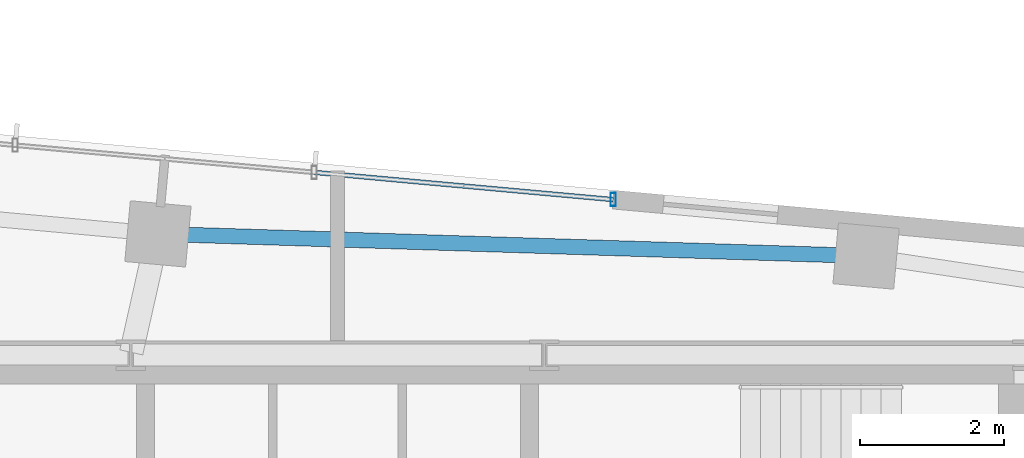
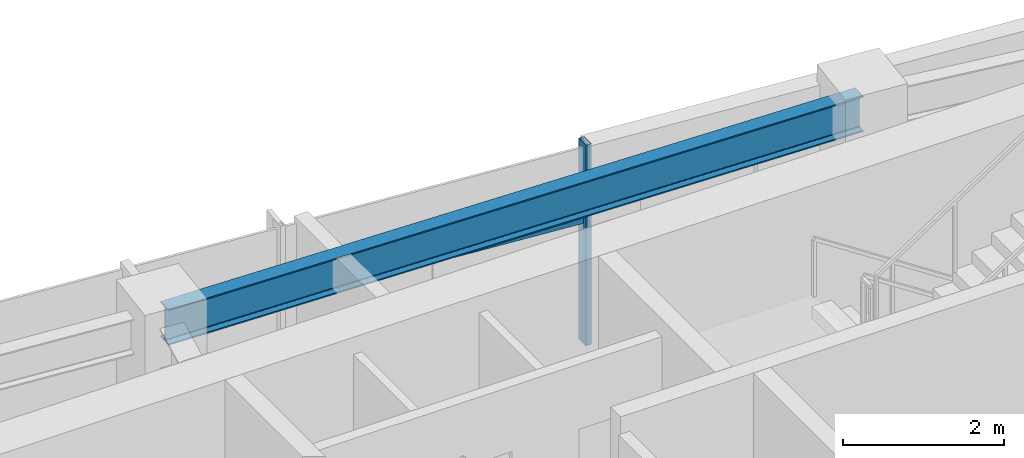
# One storey, part 11 of 22: 2 members, 1 beam, 1 element without a shape of its own.
"""IFC4 building model written with IfcOpenShell, lengths in metres."""

from ifc_helpers import new_model, si_unit, direction, frame, origin, origin_2d, place, context, subcontext, project, spatial, hollow_rectangle, i_section, extrude, source, transform, mapped, material, material_profile, profile_set, type_object, type_shapes, element, aggregate, save


model = new_model("IFC4")

# Units and contexts
model_context = context("Model", 3, precision=1e-05, world=origin(), true_north=direction((0.0, 1.0)))
body_context = subcontext(model_context, "Body", "Model", "MODEL_VIEW")
ifc_project = project(units=[si_unit("LENGTHUNIT", "METRE"), si_unit("AREAUNIT", "SQUARE_METRE"), si_unit("VOLUMEUNIT", "CUBIC_METRE"), si_unit("PLANEANGLEUNIT", "RADIAN"), si_unit("MASSUNIT", "GRAM", prefix="KILO")], contexts=[model_context])

# Site, building, storey
site_placement = place(None, origin())
site = spatial("IfcSite", under=ifc_project, at=site_placement, CompositionType="ELEMENT")
building_placement = place(site_placement, origin())
building = spatial("IfcBuilding", under=site, at=building_placement, Name="Astriad Promenade Condominiums", CompositionType="ELEMENT")
storey_placement = place(building_placement, frame((0.0, 0.0, 233.10009765625)))
storey = spatial("IfcBuildingStorey", under=building, at=storey_placement, Name="L67", CompositionType="ELEMENT", Elevation=233.10009765625)

# Beam
ifc_material_1 = material(Name="Steel ASTM A992 Grade 50", Category="steel")
ifc_material_profile_1 = material_profile(ifc_material_1, i_section(OverallWidth=0.210693359375, OverallDepth=0.53955078125, WebThickness=0.01171875, FlangeThickness=0.018798828125, FilletRadius=0.0166015625, at=origin_2d()), Name="W21X73")
ifc_profile_set_1 = profile_set([ifc_material_profile_1], Name="Steel ASTM A992 Grade 50")
beam_type = type_object("IfcBeamType", Name="STEEL SPANDREL BEAM W21X73", PredefinedType="SPANDREL", material=ifc_profile_set_1)
shared_shape_1 = source(origin(), body_context, "Body", "SweptSolid", [
    extrude(i_section(OverallWidth=0.210693359375, OverallDepth=0.53955078125, WebThickness=0.01171875, FlangeThickness=0.018798828125, FilletRadius=0.0166015625, at=origin_2d()), origin(), (0.0, 0.0, 1.0), 9.783935546875),
])
type_shapes(beam_type, [shared_shape_1])
beam_placement = place(storey_placement, frame((43.31884765625, 25.381103515625, 2.77001953125), z_axis=(-0.999511077438, 0.031266692798, 0.0), x_axis=(-0.031266692798, -0.999511077438, 0.0)))
element("IfcBeam", 1, at=beam_placement, inside=storey, type_object=beam_type, Name="Perimeter Spandrel Beam SP-N3-L67", PredefinedType="SPANDREL", context=body_context, shape_type="MappedRepresentation", body=[
    mapped(shared_shape_1, transform((0.0, 0.0, 0.0), scale=1.0)),
])

# Curtain wall, members
ifc_material_2 = material(Name="Anodised aluminium Black Dark Glass Unitised", Category="aluminium")
curtain_wall_type = type_object("IfcCurtainWallType", Name="CW-B5-DARK", PredefinedType="USERDEFINED", material=ifc_material_2)
curtain_wall_placement = place(storey_placement, origin())
curtain_wall = element("IfcCurtainWall", 2, at=curtain_wall_placement, inside=storey, type_object=curtain_wall_type, Name="CW-L67-N", ObjectType="UNITISED_CURTAIN_WALL", PredefinedType="USERDEFINED")
ifc_material_3 = material(Name="Anodised aluminium 6063-T6 Black", Category="aluminium")
ifc_material_profile_2 = material_profile(ifc_material_3, hollow_rectangle(XDim=0.074951171875, YDim=0.18505859375, WallThickness=0.00439453125, at=origin_2d()), Name="ALU-MUL-75X185")
ifc_profile_set_2 = profile_set([ifc_material_profile_2], Name="Anodised aluminium 6063-T6 Black")
member_type_1 = type_object("IfcMemberType", Name="MUL-ALU-MUL-75X185", PredefinedType="MULLION", material=ifc_profile_set_2)
shared_shape_2 = source(origin(), body_context, "Body", "SweptSolid", [
    extrude(hollow_rectangle(XDim=0.074951171875, YDim=0.18505859375, WallThickness=0.00439453125, at=origin_2d()), origin(), (0.0, 0.0, 1.0), 3.039794921875),
])
type_shapes(member_type_1, [shared_shape_2])
member_1_placement = place(storey_placement, frame((39.839111328125, 26.16552734375, 0.0), z_axis=(0.0, 0.0, 1.0), x_axis=(1.0, 0.0, 0.0)))
member_1 = element("IfcMember", 3, at=member_1_placement, type_object=member_type_1, Name="CW-L67-N-MUL-03", PredefinedType="MULLION", context=body_context, shape_type="MappedRepresentation", body=[
    mapped(shared_shape_2, transform((0.0, 0.0, 0.0), scale=1.0)),
])
ifc_material_profile_3 = material_profile(ifc_material_3, hollow_rectangle(XDim=0.06494140625, YDim=0.1298828125, WallThickness=0.00390625, at=origin_2d()), Name="ALU-TRN-65X130")
ifc_profile_set_3 = profile_set([ifc_material_profile_3], Name="Anodised aluminium 6063-T6 Black")
member_type_2 = type_object("IfcMemberType", Name="TRN-ALU-TRN-65X130", PredefinedType="USERDEFINED", material=ifc_profile_set_3)
shared_shape_3 = source(origin(), body_context, "Body", "SweptSolid", [
    extrude(hollow_rectangle(XDim=0.06494140625, YDim=0.1298828125, WallThickness=0.00390625, at=origin_2d()), origin(), (0.0, 0.0, 1.0), 4.179931640625),
])
type_shapes(member_type_2, [shared_shape_3])
member_2_placement = place(storey_placement, frame((35.67626953125, 26.54443359375, 1.884765625), z_axis=(0.995883146811, -0.090646334165, 0.0), x_axis=(0.090646334165, 0.995883146811, 0.0)))
member_2 = element("IfcMember", 4, at=member_2_placement, type_object=member_type_2, Name="CW-L67-N-TRN-02-0", ObjectType="TRANSOM", PredefinedType="USERDEFINED", context=body_context, shape_type="MappedRepresentation", body=[
    mapped(shared_shape_3, transform((0.0, 0.0, 0.0), scale=1.0)),
])
aggregate(curtain_wall, [member_1, member_2])

save(model, "model.ifc")
